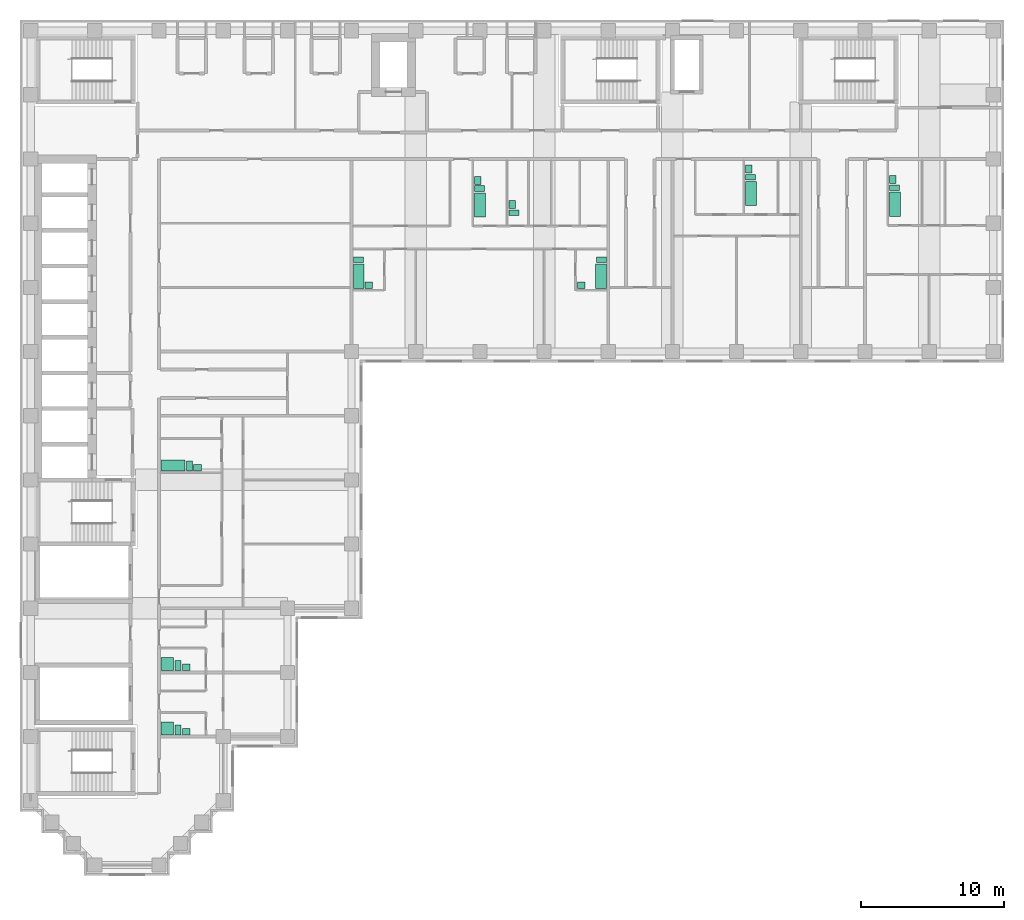
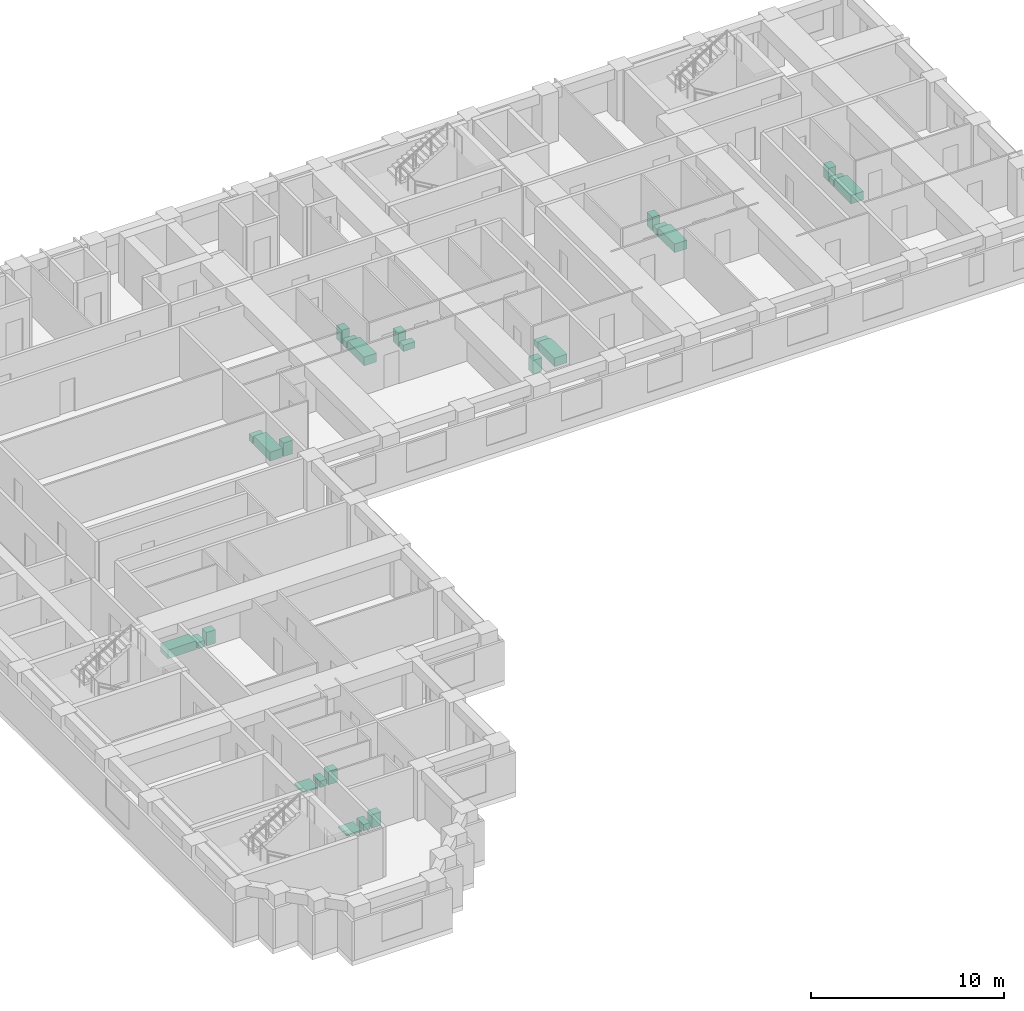
# One storey, part 12 of 12: 26 sanitary terminals.
"""IFC4 building model written with IfcOpenShell, lengths in metres."""

import ifcopenshell
import ifcopenshell.guid

model = None  # the IFC model being written
_history = None  # IfcOwnerHistory: only IFC2X3 demands one
_inside = {}  # id of a spatial element -> (the spatial element, [elements in it])
_under = {}  # id of a project, library or spatial element -> (it, [spatial elements below it])
_declared = {}  # id of a project -> (the project, [libraries it declares])
_typed = {}  # id of a type object -> (the type object, [elements of that type])
_made_of = {}  # id of a material, layer set ... -> (it, [elements and type objects made of it])


def new_model(schema):
    """Start an empty IFC model of exactly this schema.

    Asked for "IFC4X3", IfcOpenShell would pick the latest addendum, in which some entities
    have other attributes; the version numbers below select the first issue.
    IFC2X3 requires an IfcOwnerHistory on every rooted entity: one is made here for all.
    """
    global model, _history
    if schema == "IFC4X3":
        model = ifcopenshell.file(schema_version=(4, 3, 0, 0))
    else:
        model = ifcopenshell.file(schema=schema)
    _inside.clear()
    _under.clear()
    _declared.clear()
    _typed.clear()
    _made_of.clear()
    _history = None
    if model.schema == "IFC2X3":
        org = make("IfcOrganization", Name="unknown")
        user = make(
            "IfcPersonAndOrganization",
            ThePerson=make("IfcPerson", FamilyName="unknown"),
            TheOrganization=org,
        )
        app = make(
            "IfcApplication",
            ApplicationDeveloper=org,
            Version="unknown",
            ApplicationFullName="unknown",
            ApplicationIdentifier="unknown",
        )
        _history = make(
            "IfcOwnerHistory",
            OwningUser=user,
            OwningApplication=app,
            ChangeAction="ADDED",
            CreationDate=0,
        )
    return model


def make(cls, **values):
    """One entity of the class cls with the attributes given. An attribute that is None is left unset."""
    return model.create_entity(
        cls, **{name: value for name, value in values.items() if value is not None}
    )


def rooted(cls, **values):
    """An entity with a GlobalId (a new one), such as an element, a storey or a relation."""
    return make(cls, GlobalId=ifcopenshell.guid.new(), OwnerHistory=_history, **values)


def si_unit(unit_type, name, prefix=None):
    """IfcSIUnit, for example si_unit("LENGTHUNIT", "METRE", prefix="MILLI")."""
    return make("IfcSIUnit", UnitType=unit_type, Prefix=prefix, Name=name)


def assignment(units):
    """IfcUnitAssignment: the units of a project."""
    return None if units is None else make("IfcUnitAssignment", Units=units)


def point(xyz):
    """IfcCartesianPoint."""
    return None if xyz is None else make("IfcCartesianPoint", Coordinates=xyz)


def direction(xyz):
    """IfcDirection."""
    return None if xyz is None else make("IfcDirection", DirectionRatios=xyz)


def frame(location, z_axis=None, x_axis=None):
    """IfcAxis2Placement3D, a coordinate frame: its origin and axes. An axis left out is left unset."""
    return make(
        "IfcAxis2Placement3D",
        Location=point(location),
        Axis=direction(z_axis),
        RefDirection=direction(x_axis),
    )


def frame_2d(location, x_axis=None):
    """IfcAxis2Placement2D, a coordinate frame in the plane: its origin and x axis."""
    return make(
        "IfcAxis2Placement2D", Location=point(location), RefDirection=direction(x_axis)
    )


def origin():
    """The frame at (0, 0, 0) with its axes left unset."""
    return frame((0.0, 0.0, 0.0))


def origin_2d():
    """The frame at (0, 0) in the plane with its x axis left unset."""
    return frame_2d((0.0, 0.0))


def place(relative_to, where):
    """IfcLocalPlacement: puts the frame where relative to a parent placement (None: the world)."""
    return make(
        "IfcLocalPlacement", PlacementRelTo=relative_to, RelativePlacement=where
    )


def context(
    kind, dimensions, precision=None, world=None, true_north=None, identifier=None
):
    """IfcGeometricRepresentationContext, for example the 3D "Model" context."""
    return make(
        "IfcGeometricRepresentationContext",
        ContextIdentifier=identifier,
        ContextType=kind,
        CoordinateSpaceDimension=dimensions,
        Precision=precision,
        WorldCoordinateSystem=world,
        TrueNorth=true_north,
    )


def subcontext(parent, identifier, kind, view, scale=None):
    """IfcGeometricRepresentationSubContext, for example "Body" below "Model"."""
    return make(
        "IfcGeometricRepresentationSubContext",
        ContextIdentifier=identifier,
        ContextType=kind,
        ParentContext=parent,
        TargetScale=scale,
        TargetView=view,
    )


def project(units=None, contexts=None):
    """IfcProject with its units and contexts."""
    return rooted(
        "IfcProject",
        Name="project",
        RepresentationContexts=contexts,
        UnitsInContext=assignment(units),
    )


def spatial(cls, under=None, at=None, **own):
    """A site, building, storey or space (cls), placed at a placement, below another one or the project."""
    s = rooted(cls, ObjectPlacement=at, **own)
    if under is not None:
        _under.setdefault(under.id(), (under, []))[1].append(s)
    return s


def profile(cls, at=None, kind="AREA", **sizes):
    """A parametric profile (cls). Its sizes go by their IFC names, for example OverallWidth=200.0."""
    return make(cls, ProfileType=kind, Position=at, **sizes)


def rectangle(**sizes):
    """IfcRectangleProfileDef."""
    return profile("IfcRectangleProfileDef", **sizes)


def extrude(swept, where, along, depth):
    """IfcExtrudedAreaSolid: the profile swept, set in the frame where, extruded along a direction by depth."""
    return make(
        "IfcExtrudedAreaSolid",
        SweptArea=swept,
        Position=where,
        ExtrudedDirection=direction(along),
        Depth=depth,
    )


def shape(context_of_items, identifier, shape_type, items):
    """IfcShapeRepresentation: the items that make up one representation, for example the "Body"."""
    return make(
        "IfcShapeRepresentation",
        ContextOfItems=context_of_items,
        RepresentationIdentifier=identifier,
        RepresentationType=shape_type,
        Items=items,
    )


def material(Name=None, Category=None):
    """IfcMaterial."""
    return make("IfcMaterial", Name=Name, Category=Category)


def made_of(thing, what):
    """Note that an element or type object is made of a material, layer set ...; save() writes the relation."""
    if what is not None:
        _made_of.setdefault(what.id(), (what, []))[1].append(thing)
    return thing


def type_object(cls, material=None, **own):
    """A type object (cls), such as IfcWallType, which elements share."""
    return made_of(rooted(cls, **own), material)


def element(
    cls,
    number,
    at=None,
    inside=None,
    cuts=None,
    type_object=None,
    material=None,
    context=None,
    identifier="Body",
    shape_type=None,
    held_by="IfcProductDefinitionShape",
    body=None,
    shapes=None,
    **own,
):
    """One element of the class cls, such as IfcWall. Its Tag is "e" and its number.

    at: its placement. inside: the storey or other place that contains it. cuts: it is an
    opening in that element (IfcRelVoidsElement). A single representation is given by context,
    identifier, shape_type and body (its items); several are given by shapes. held_by: the class
    of the entity that holds the representations. save() writes the other relations.
    """
    e = rooted(cls, Tag="e%d" % number, ObjectPlacement=at, **own)
    if body is not None:
        shapes = [shape(context, identifier, shape_type, body)]
    if shapes is not None:
        e.Representation = make(held_by, Representations=shapes)
    if inside is not None:
        _inside.setdefault(inside.id(), (inside, []))[1].append(e)
    if cuts is not None:
        rooted(
            "IfcRelVoidsElement", RelatingBuildingElement=cuts, RelatedOpeningElement=e
        )
    if type_object is not None:
        _typed.setdefault(type_object.id(), (type_object, []))[1].append(e)
    return made_of(e, material)


def aggregate(whole, parts):
    """IfcRelAggregates: a whole, such as a stair, and the parts it consists of."""
    return rooted("IfcRelAggregates", RelatingObject=whole, RelatedObjects=parts)


def save(model, path):
    """Write the relations noted so far, then the file.

    IfcRelAggregates (storeys below a building ...), IfcRelContainedInSpatialStructure (elements
    in a storey), IfcRelDefinesByType, IfcRelAssociatesMaterial and IfcRelDeclares: one each for
    every whole, place, type object, material and project.
    """
    for whole, parts in _under.values():
        aggregate(whole, parts)
    for where, things in _inside.values():
        rooted(
            "IfcRelContainedInSpatialStructure",
            RelatedElements=things,
            RelatingStructure=where,
        )
    for kind, things in _typed.values():
        rooted("IfcRelDefinesByType", RelatedObjects=things, RelatingType=kind)
    for what, things in _made_of.values():
        rooted("IfcRelAssociatesMaterial", RelatedObjects=things, RelatingMaterial=what)
    for by, libraries in _declared.values():
        rooted("IfcRelDeclares", RelatingContext=by, RelatedDefinitions=libraries)
    model.write(path)


model = new_model("IFC4")

# Units and contexts
model_context = context("Model", 3, precision=1e-05, world=origin(), true_north=direction((0.0, 1.0)))
body_context = subcontext(model_context, "Body", "Model", "MODEL_VIEW")
ifc_project = project(units=[si_unit("LENGTHUNIT", "METRE"), si_unit("AREAUNIT", "SQUARE_METRE"), si_unit("VOLUMEUNIT", "CUBIC_METRE"), si_unit("PLANEANGLEUNIT", "RADIAN"), si_unit("MASSUNIT", "GRAM", prefix="KILO")], contexts=[model_context])

# Site, building, storey
site_placement = place(None, origin())
site = spatial("IfcSite", under=ifc_project, at=site_placement, CompositionType="ELEMENT")
building_placement = place(site_placement, origin())
building = spatial("IfcBuilding", under=site, at=building_placement, Name="Firuza Court", CompositionType="ELEMENT")
storey_placement = place(building_placement, frame((0.0, 0.0, 170.0)))
storey = spatial("IfcBuildingStorey", under=building, at=storey_placement, Name="L43", CompositionType="ELEMENT", Elevation=170.0)

# Sanitary terminals
ifc_material_1 = material(Name="Vitreous china", Category="ceramic")
sanitary_terminal_type_1 = type_object("IfcSanitaryTerminalType", Name="Fixture Bath", PredefinedType="BATH", material=ifc_material_1)
for number, where, z_axis, x_axis, name in (
    (1, (31.5048828125, 46.280029296875, 0.0), (0.0, 0.0, 1.0), (1.0, 0.0, 0.0), "Bath"),
    (2, (23.0048828125, 41.280029296875, 0.0), (0.0, 0.0, 1.0), (1.0, 0.0, 0.0), "Bath"),
    (3, (39.9951171875, 41.280029296875, 0.0), (0.0, 0.0, 1.0), (1.0, 0.0, 0.0), "Bath"),
    (4, (50.5048828125, 47.080078125, 0.0), (0.0, 0.0, 1.0), (1.0, 0.0, 0.0), "Bath"),
    (5, (60.60498046875, 46.330078125, 0.0), (0.0, 0.0, 1.0), (1.0, 0.0, 0.0), "Bath"),
):
    element("IfcSanitaryTerminal", number, at=place(storey_placement, frame(where, z_axis=z_axis, x_axis=x_axis)), inside=storey, type_object=sanitary_terminal_type_1, Name=name, PredefinedType="BATH", context=body_context, shape_type="SweptSolid", body=[
        extrude(rectangle(XDim=0.75, YDim=1.699951171875, at=origin_2d()), origin(), (0.0, 0.0, 1.0), 0.550048828125),
    ])
sanitary_terminal_placement = place(storey_placement, frame((9.97998046875, 28.0048828125, 0.0), z_axis=(0.0, 0.0, 1.0), x_axis=(1.0, 0.0, 0.0)))
element("IfcSanitaryTerminal", 6, at=sanitary_terminal_placement, inside=storey, type_object=sanitary_terminal_type_1, Name="Bath", PredefinedType="BATH", context=body_context, shape_type="SweptSolid", body=[
    extrude(rectangle(XDim=1.699951171875, YDim=0.75, at=origin_2d()), origin(), (0.0, 0.0, 1.0), 0.550048828125),
])
ifc_material_2 = material(Name="Vitreous china", Category="ceramic")
sanitary_terminal_type_2 = type_object("IfcSanitaryTerminalType", Name="Fixture Shower tray", PredefinedType="SHOWER", material=ifc_material_2)
for number, where, z_axis, x_axis, name in (
    (7, (9.580078125, 14.080078125, 0.0), (0.0, 0.0, 1.0), (1.0, 0.0, 0.0), "Shower tray"),
    (8, (9.580078125, 9.580078125, 0.0), (0.0, 0.0, 1.0), (1.0, 0.0, 0.0), "Shower tray"),
):
    element("IfcSanitaryTerminal", number, at=place(storey_placement, frame(where, z_axis=z_axis, x_axis=x_axis)), inside=storey, type_object=sanitary_terminal_type_2, Name=name, PredefinedType="SHOWER", context=body_context, shape_type="SweptSolid", body=[
        extrude(rectangle(XDim=0.89990234375, YDim=0.89990234375, at=origin_2d()), origin(), (0.0, 0.0, 1.0), 0.10009765625),
    ])
ifc_material_3 = material(Name="Vitreous china", Category="ceramic")
sanitary_terminal_type_3 = type_object("IfcSanitaryTerminalType", Name="Fixture WC pan", PredefinedType="TOILETPAN", material=ifc_material_3)
for number, where, z_axis, x_axis, name in (
    (9, (31.47998046875, 47.429931640625, 0.0), (0.0, 0.0, 1.0), (1.0, 0.0, 0.0), "WC pan"),
    (10, (33.8798828125, 45.72998046875, 0.0), (0.0, 0.0, 1.0), (1.0, 0.0, 0.0), "WC pan"),
    (11, (22.97998046875, 42.429931640625, 0.0), (0.0, 0.0, 1.0), (1.0, 0.0, 0.0), "WC pan"),
    (12, (40.02001953125, 42.429931640625, 0.0), (0.0, 0.0, 1.0), (1.0, 0.0, 0.0), "WC pan"),
    (13, (50.47998046875, 48.22998046875, 0.0), (0.0, 0.0, 1.0), (1.0, 0.0, 0.0), "WC pan"),
    (14, (60.580078125, 47.47998046875, 0.0), (0.0, 0.0, 1.0), (1.0, 0.0, 0.0), "WC pan"),
):
    element("IfcSanitaryTerminal", number, at=place(storey_placement, frame(where, z_axis=z_axis, x_axis=x_axis)), inside=storey, type_object=sanitary_terminal_type_3, Name=name, PredefinedType="TOILETPAN", context=body_context, shape_type="SweptSolid", body=[
        extrude(rectangle(XDim=0.699951171875, YDim=0.39990234375, at=origin_2d()), origin(), (0.0, 0.0, 1.0), 0.39990234375),
    ])
for number, where, z_axis, x_axis, name in (
    (15, (11.1298828125, 27.97998046875, 0.0), (0.0, 0.0, 1.0), (1.0, 0.0, 0.0), "WC pan"),
    (16, (10.330078125, 13.97998046875, 0.0), (0.0, 0.0, 1.0), (1.0, 0.0, 0.0), "WC pan"),
    (17, (10.330078125, 9.47998046875, 0.0), (0.0, 0.0, 1.0), (1.0, 0.0, 0.0), "WC pan"),
):
    element("IfcSanitaryTerminal", number, at=place(storey_placement, frame(where, z_axis=z_axis, x_axis=x_axis)), inside=storey, type_object=sanitary_terminal_type_3, Name=name, PredefinedType="TOILETPAN", context=body_context, shape_type="SweptSolid", body=[
        extrude(rectangle(XDim=0.39990234375, YDim=0.699951171875, at=origin_2d()), origin(), (0.0, 0.0, 1.0), 0.39990234375),
    ])
ifc_material_4 = material(Name="Vitreous china", Category="ceramic")
sanitary_terminal_type_4 = type_object("IfcSanitaryTerminalType", Name="Fixture Washbasin", PredefinedType="WASHHANDBASIN", material=ifc_material_4)
for number, where, z_axis, x_axis, name in (
    (18, (31.35498046875, 48.0048828125, 0.0), (0.0, 0.0, 1.0), (1.0, 0.0, 0.0), "Washbasin"),
    (19, (33.7548828125, 46.304931640625, 0.0), (0.0, 0.0, 1.0), (1.0, 0.0, 0.0), "Washbasin"),
):
    element("IfcSanitaryTerminal", number, at=place(storey_placement, frame(where, z_axis=z_axis, x_axis=x_axis)), inside=storey, type_object=sanitary_terminal_type_4, Name=name, PredefinedType="WASHHANDBASIN", context=body_context, shape_type="SweptSolid", body=[
        extrude(rectangle(XDim=0.449951171875, YDim=0.550048828125, at=origin_2d()), origin(), (0.0, 0.0, 1.0), 0.85009765625),
    ])
for number, where, z_axis, x_axis, name in (
    (20, (23.705078125, 40.655029296875, 0.0), (0.0, 0.0, 1.0), (1.0, 0.0, 0.0), "Washbasin"),
    (21, (38.60498046875, 40.655029296875, 0.0), (0.0, 0.0, 1.0), (1.0, 0.0, 0.0), "Washbasin"),
):
    element("IfcSanitaryTerminal", number, at=place(storey_placement, frame(where, z_axis=z_axis, x_axis=x_axis)), inside=storey, type_object=sanitary_terminal_type_4, Name=name, PredefinedType="WASHHANDBASIN", context=body_context, shape_type="SweptSolid", body=[
        extrude(rectangle(XDim=0.550048828125, YDim=0.449951171875, at=origin_2d()), origin(), (0.0, 0.0, 1.0), 0.85009765625),
    ])
for number, where, z_axis, x_axis, name in (
    (22, (50.35498046875, 48.804931640625, 0.0), (0.0, 0.0, 1.0), (1.0, 0.0, 0.0), "Washbasin"),
    (23, (60.455078125, 48.054931640625, 0.0), (0.0, 0.0, 1.0), (1.0, 0.0, 0.0), "Washbasin"),
):
    element("IfcSanitaryTerminal", number, at=place(storey_placement, frame(where, z_axis=z_axis, x_axis=x_axis)), inside=storey, type_object=sanitary_terminal_type_4, Name=name, PredefinedType="WASHHANDBASIN", context=body_context, shape_type="SweptSolid", body=[
        extrude(rectangle(XDim=0.449951171875, YDim=0.550048828125, at=origin_2d()), origin(), (0.0, 0.0, 1.0), 0.85009765625),
    ])
for number, where, z_axis, x_axis, name in (
    (24, (11.705078125, 27.85498046875, 0.0), (0.0, 0.0, 1.0), (1.0, 0.0, 0.0), "Washbasin"),
    (25, (10.905029296875, 13.85498046875, 0.0), (0.0, 0.0, 1.0), (1.0, 0.0, 0.0), "Washbasin"),
    (26, (10.905029296875, 9.35498046875, 0.0), (0.0, 0.0, 1.0), (1.0, 0.0, 0.0), "Washbasin"),
):
    element("IfcSanitaryTerminal", number, at=place(storey_placement, frame(where, z_axis=z_axis, x_axis=x_axis)), inside=storey, type_object=sanitary_terminal_type_4, Name=name, PredefinedType="WASHHANDBASIN", context=body_context, shape_type="SweptSolid", body=[
        extrude(rectangle(XDim=0.550048828125, YDim=0.449951171875, at=origin_2d()), origin(), (0.0, 0.0, 1.0), 0.85009765625),
    ])

save(model, "model.ifc")
